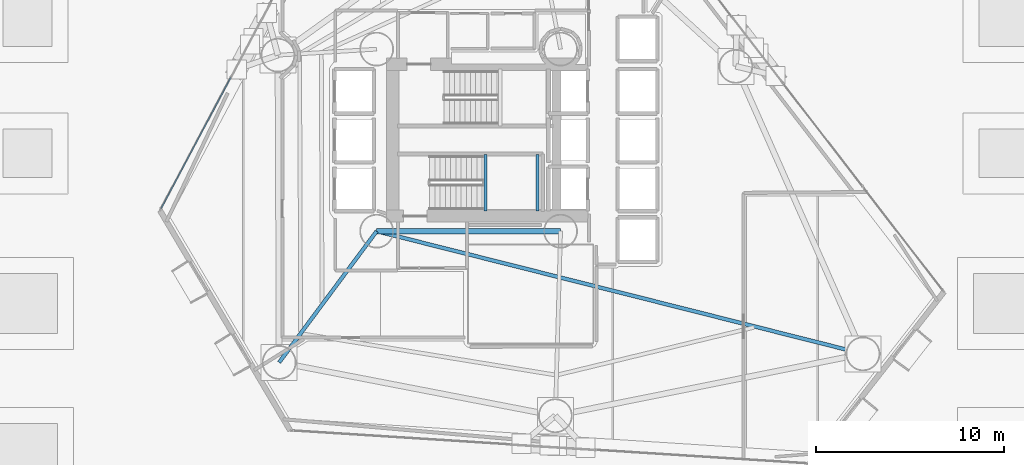
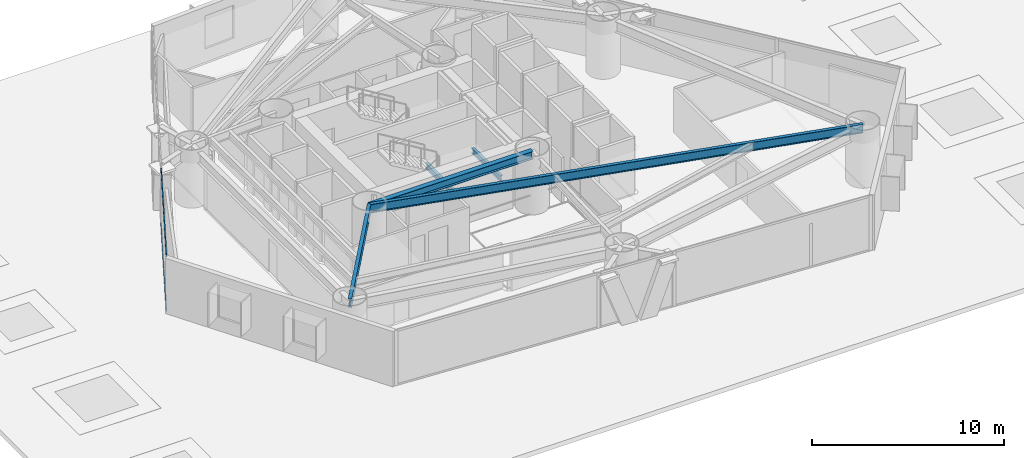
# One storey, part 5 of 22: 5 beams, 2 members, 1 element without a shape of its own.
"""IFC4 building model written with IfcOpenShell, lengths in metres."""

import ifcopenshell
import ifcopenshell.guid

model = None  # the IFC model being written
_history = None  # IfcOwnerHistory: only IFC2X3 demands one
_inside = {}  # id of a spatial element -> (the spatial element, [elements in it])
_under = {}  # id of a project, library or spatial element -> (it, [spatial elements below it])
_declared = {}  # id of a project -> (the project, [libraries it declares])
_typed = {}  # id of a type object -> (the type object, [elements of that type])
_made_of = {}  # id of a material, layer set ... -> (it, [elements and type objects made of it])


def new_model(schema):
    """Start an empty IFC model of exactly this schema.

    Asked for "IFC4X3", IfcOpenShell would pick the latest addendum, in which some entities
    have other attributes; the version numbers below select the first issue.
    IFC2X3 requires an IfcOwnerHistory on every rooted entity: one is made here for all.
    """
    global model, _history
    if schema == "IFC4X3":
        model = ifcopenshell.file(schema_version=(4, 3, 0, 0))
    else:
        model = ifcopenshell.file(schema=schema)
    _inside.clear()
    _under.clear()
    _declared.clear()
    _typed.clear()
    _made_of.clear()
    _history = None
    if model.schema == "IFC2X3":
        org = make("IfcOrganization", Name="unknown")
        user = make(
            "IfcPersonAndOrganization",
            ThePerson=make("IfcPerson", FamilyName="unknown"),
            TheOrganization=org,
        )
        app = make(
            "IfcApplication",
            ApplicationDeveloper=org,
            Version="unknown",
            ApplicationFullName="unknown",
            ApplicationIdentifier="unknown",
        )
        _history = make(
            "IfcOwnerHistory",
            OwningUser=user,
            OwningApplication=app,
            ChangeAction="ADDED",
            CreationDate=0,
        )
    return model


def make(cls, **values):
    """One entity of the class cls with the attributes given. An attribute that is None is left unset."""
    return model.create_entity(
        cls, **{name: value for name, value in values.items() if value is not None}
    )


def rooted(cls, **values):
    """An entity with a GlobalId (a new one), such as an element, a storey or a relation."""
    return make(cls, GlobalId=ifcopenshell.guid.new(), OwnerHistory=_history, **values)


def si_unit(unit_type, name, prefix=None):
    """IfcSIUnit, for example si_unit("LENGTHUNIT", "METRE", prefix="MILLI")."""
    return make("IfcSIUnit", UnitType=unit_type, Prefix=prefix, Name=name)


def assignment(units):
    """IfcUnitAssignment: the units of a project."""
    return None if units is None else make("IfcUnitAssignment", Units=units)


def point(xyz):
    """IfcCartesianPoint."""
    return None if xyz is None else make("IfcCartesianPoint", Coordinates=xyz)


def direction(xyz):
    """IfcDirection."""
    return None if xyz is None else make("IfcDirection", DirectionRatios=xyz)


def frame(location, z_axis=None, x_axis=None):
    """IfcAxis2Placement3D, a coordinate frame: its origin and axes. An axis left out is left unset."""
    return make(
        "IfcAxis2Placement3D",
        Location=point(location),
        Axis=direction(z_axis),
        RefDirection=direction(x_axis),
    )


def frame_2d(location, x_axis=None):
    """IfcAxis2Placement2D, a coordinate frame in the plane: its origin and x axis."""
    return make(
        "IfcAxis2Placement2D", Location=point(location), RefDirection=direction(x_axis)
    )


def origin():
    """The frame at (0, 0, 0) with its axes left unset."""
    return frame((0.0, 0.0, 0.0))


def origin_2d():
    """The frame at (0, 0) in the plane with its x axis left unset."""
    return frame_2d((0.0, 0.0))


def place(relative_to, where):
    """IfcLocalPlacement: puts the frame where relative to a parent placement (None: the world)."""
    return make(
        "IfcLocalPlacement", PlacementRelTo=relative_to, RelativePlacement=where
    )


def context(
    kind, dimensions, precision=None, world=None, true_north=None, identifier=None
):
    """IfcGeometricRepresentationContext, for example the 3D "Model" context."""
    return make(
        "IfcGeometricRepresentationContext",
        ContextIdentifier=identifier,
        ContextType=kind,
        CoordinateSpaceDimension=dimensions,
        Precision=precision,
        WorldCoordinateSystem=world,
        TrueNorth=true_north,
    )


def subcontext(parent, identifier, kind, view, scale=None):
    """IfcGeometricRepresentationSubContext, for example "Body" below "Model"."""
    return make(
        "IfcGeometricRepresentationSubContext",
        ContextIdentifier=identifier,
        ContextType=kind,
        ParentContext=parent,
        TargetScale=scale,
        TargetView=view,
    )


def project(units=None, contexts=None):
    """IfcProject with its units and contexts."""
    return rooted(
        "IfcProject",
        Name="project",
        RepresentationContexts=contexts,
        UnitsInContext=assignment(units),
    )


def spatial(cls, under=None, at=None, **own):
    """A site, building, storey or space (cls), placed at a placement, below another one or the project."""
    s = rooted(cls, ObjectPlacement=at, **own)
    if under is not None:
        _under.setdefault(under.id(), (under, []))[1].append(s)
    return s


def profile(cls, at=None, kind="AREA", **sizes):
    """A parametric profile (cls). Its sizes go by their IFC names, for example OverallWidth=200.0."""
    return make(cls, ProfileType=kind, Position=at, **sizes)


def hollow_rectangle(**sizes):
    """IfcRectangleHollowProfileDef."""
    return profile("IfcRectangleHollowProfileDef", **sizes)


def i_section(**sizes):
    """IfcIShapeProfileDef."""
    return profile("IfcIShapeProfileDef", **sizes)


def extrude(swept, where, along, depth):
    """IfcExtrudedAreaSolid: the profile swept, set in the frame where, extruded along a direction by depth."""
    return make(
        "IfcExtrudedAreaSolid",
        SweptArea=swept,
        Position=where,
        ExtrudedDirection=direction(along),
        Depth=depth,
    )


def shape(context_of_items, identifier, shape_type, items):
    """IfcShapeRepresentation: the items that make up one representation, for example the "Body"."""
    return make(
        "IfcShapeRepresentation",
        ContextOfItems=context_of_items,
        RepresentationIdentifier=identifier,
        RepresentationType=shape_type,
        Items=items,
    )


def material(Name=None, Category=None):
    """IfcMaterial."""
    return make("IfcMaterial", Name=Name, Category=Category)


def layer(
    of_material, thickness, ventilated=None, Name=None, Category=None, Priority=None
):
    """IfcMaterialLayer: one layer of a wall or slab, of a material (None: an air gap)."""
    return make(
        "IfcMaterialLayer",
        Material=of_material,
        LayerThickness=thickness,
        IsVentilated=ventilated,
        Name=Name,
        Category=Category,
        Priority=Priority,
    )


def layer_set(layers, Name=None):
    """IfcMaterialLayerSet."""
    return make("IfcMaterialLayerSet", MaterialLayers=layers, LayerSetName=Name)


def material_profile(
    of_material, cross_section, Name=None, Category=None, Priority=None
):
    """IfcMaterialProfile: a cross section and its material."""
    return make(
        "IfcMaterialProfile",
        Name=Name,
        Material=of_material,
        Profile=cross_section,
        Priority=Priority,
        Category=Category,
    )


def profile_set(profiles, Name=None, composite=None):
    """IfcMaterialProfileSet."""
    return make(
        "IfcMaterialProfileSet",
        Name=Name,
        MaterialProfiles=profiles,
        CompositeProfile=composite,
    )


def made_of(thing, what):
    """Note that an element or type object is made of a material, layer set ...; save() writes the relation."""
    if what is not None:
        _made_of.setdefault(what.id(), (what, []))[1].append(thing)
    return thing


def type_object(cls, material=None, **own):
    """A type object (cls), such as IfcWallType, which elements share."""
    return made_of(rooted(cls, **own), material)


def element(
    cls,
    number,
    at=None,
    inside=None,
    cuts=None,
    type_object=None,
    material=None,
    context=None,
    identifier="Body",
    shape_type=None,
    held_by="IfcProductDefinitionShape",
    body=None,
    shapes=None,
    **own,
):
    """One element of the class cls, such as IfcWall. Its Tag is "e" and its number.

    at: its placement. inside: the storey or other place that contains it. cuts: it is an
    opening in that element (IfcRelVoidsElement). A single representation is given by context,
    identifier, shape_type and body (its items); several are given by shapes. held_by: the class
    of the entity that holds the representations. save() writes the other relations.
    """
    e = rooted(cls, Tag="e%d" % number, ObjectPlacement=at, **own)
    if body is not None:
        shapes = [shape(context, identifier, shape_type, body)]
    if shapes is not None:
        e.Representation = make(held_by, Representations=shapes)
    if inside is not None:
        _inside.setdefault(inside.id(), (inside, []))[1].append(e)
    if cuts is not None:
        rooted(
            "IfcRelVoidsElement", RelatingBuildingElement=cuts, RelatedOpeningElement=e
        )
    if type_object is not None:
        _typed.setdefault(type_object.id(), (type_object, []))[1].append(e)
    return made_of(e, material)


def aggregate(whole, parts):
    """IfcRelAggregates: a whole, such as a stair, and the parts it consists of."""
    return rooted("IfcRelAggregates", RelatingObject=whole, RelatedObjects=parts)


def save(model, path):
    """Write the relations noted so far, then the file.

    IfcRelAggregates (storeys below a building ...), IfcRelContainedInSpatialStructure (elements
    in a storey), IfcRelDefinesByType, IfcRelAssociatesMaterial and IfcRelDeclares: one each for
    every whole, place, type object, material and project.
    """
    for whole, parts in _under.values():
        aggregate(whole, parts)
    for where, things in _inside.values():
        rooted(
            "IfcRelContainedInSpatialStructure",
            RelatedElements=things,
            RelatingStructure=where,
        )
    for kind, things in _typed.values():
        rooted("IfcRelDefinesByType", RelatedObjects=things, RelatingType=kind)
    for what, things in _made_of.values():
        rooted("IfcRelAssociatesMaterial", RelatedObjects=things, RelatingMaterial=what)
    for by, libraries in _declared.values():
        rooted("IfcRelDeclares", RelatingContext=by, RelatedDefinitions=libraries)
    model.write(path)


model = new_model("IFC4")

# Units and contexts
model_context = context("Model", 3, precision=1e-05, world=origin(), true_north=direction((0.0, 1.0)))
body_context = subcontext(model_context, "Body", "Model", "MODEL_VIEW")
ifc_project = project(units=[si_unit("LENGTHUNIT", "METRE"), si_unit("AREAUNIT", "SQUARE_METRE"), si_unit("VOLUMEUNIT", "CUBIC_METRE"), si_unit("PLANEANGLEUNIT", "RADIAN"), si_unit("MASSUNIT", "GRAM", prefix="KILO")], contexts=[model_context])

# Site, building, storey
site_placement = place(None, origin())
site = spatial("IfcSite", under=ifc_project, at=site_placement, CompositionType="ELEMENT")
building_placement = place(site_placement, origin())
building = spatial("IfcBuilding", under=site, at=building_placement, Name="Qianvela Tower", CompositionType="ELEMENT")
storey_placement = place(building_placement, frame((0.0, 0.0, 25.699951171875)))
storey = spatial("IfcBuildingStorey", under=building, at=storey_placement, Name="L05", CompositionType="ELEMENT", Elevation=25.699951171875)

# Beams
ifc_material_1 = material(Name="Steel Q355B", Category="steel")
ifc_material_profile_1 = material_profile(ifc_material_1, i_section(OverallWidth=0.300048828125, OverallDepth=0.5, WebThickness=0.010986328125, FlangeThickness=0.01806640625, at=origin_2d()), Name="HM500x300x11x18")
ifc_profile_set_1 = profile_set([ifc_material_profile_1], Name="Steel Q355B")
beam_type_1 = type_object("IfcBeamType", Name="BM-HM500-COLL", PredefinedType="BEAM", material=ifc_profile_set_1)
beam_1_placement = place(storey_placement, frame((28.60009765625, 23.85009765625, 3.26806640625), z_axis=(1.0, 0.0, 0.0), x_axis=(0.0, 1.0, 0.0)))
element("IfcBeam", 1, at=beam_1_placement, inside=storey, type_object=beam_type_1, Name="L05 Core Ring Collector Girder CC1", PredefinedType="BEAM", context=body_context, shape_type="SweptSolid", body=[
    extrude(i_section(OverallWidth=0.300048828125, OverallDepth=0.5, WebThickness=0.010986328125, FlangeThickness=0.01806640625, at=origin_2d()), origin(), (0.0, 0.0, 1.0), 9.7998046875),
])
ifc_material_2 = material(Name="Steel Q355B", Category="steel")
ifc_material_profile_2 = material_profile(ifc_material_2, i_section(OverallWidth=0.175048828125, OverallDepth=0.35009765625, WebThickness=0.007080078125, FlangeThickness=0.010986328125, at=origin_2d()), Name="HN350x175x7x11")
ifc_profile_set_2 = profile_set([ifc_material_profile_2], Name="Steel Q355B")
beam_type_2 = type_object("IfcBeamType", Name="BM-HN350-JOIST", PredefinedType="JOIST", material=ifc_profile_set_2)
for number, where, z_axis, x_axis, name in (
    (2, (34.39990234375, 24.919921875, 1.47509765625), (0.0, 1.0, 0.0), (-1.0, 0.0, 0.0), "L05 Stair ST-2 Landing Support Beam 1.1"),
    (3, (37.169921875, 24.919921875, 1.47509765625), (0.0, 1.0, 0.0), (-1.0, 0.0, 0.0), "L05 Stair ST-2 Landing Support Beam 1.2"),
):
    element("IfcBeam", number, at=place(storey_placement, frame(where, z_axis=z_axis, x_axis=x_axis)), inside=storey, type_object=beam_type_2, Name=name, PredefinedType="JOIST", context=body_context, shape_type="SweptSolid", body=[
        extrude(i_section(OverallWidth=0.175048828125, OverallDepth=0.35009765625, WebThickness=0.007080078125, FlangeThickness=0.010986328125, at=origin_2d()), origin(), (0.0, 0.0, 1.0), 3.02001953125),
    ])
ifc_material_3 = material(Name="Steel Q355B", Category="steel")
ifc_material_profile_3 = material_profile(ifc_material_3, i_section(OverallWidth=0.199951171875, OverallDepth=0.550048828125, WebThickness=0.010009765625, FlangeThickness=0.01611328125, at=origin_2d()), Name="HN550x200x10x16")
ifc_profile_set_3 = profile_set([ifc_material_profile_3], Name="Steel Q355B")
beam_type_3 = type_object("IfcBeamType", Name="BM-HN550-GIRD", PredefinedType="BEAM", material=ifc_profile_set_3)
beam_2_placement = place(storey_placement, frame((28.60009765625, 23.85009765625, 3.2431640625), z_axis=(0.969654189465, -0.244480577661, 0.0), x_axis=(0.244480577661, 0.969654189465, 0.0)))
element("IfcBeam", 4, at=beam_2_placement, inside=storey, type_object=beam_type_3, Name="L05 Radial Primary Floor Girder 1", PredefinedType="BEAM", context=body_context, shape_type="SweptSolid", body=[
    extrude(i_section(OverallWidth=0.199951171875, OverallDepth=0.550048828125, WebThickness=0.010009765625, FlangeThickness=0.01611328125, at=origin_2d()), origin(), (0.0, 0.0, 1.0), 26.722900390625),
])
beam_3_placement = place(storey_placement, frame((28.60009765625, 23.85009765625, 3.2431640625), z_axis=(-0.596581498031, -0.802552500593, 0.0), x_axis=(0.802552500593, -0.596581498031, 0.0)))
element("IfcBeam", 5, at=beam_3_placement, inside=storey, type_object=beam_type_3, Name="L05 Radial Primary Floor Girder 5", PredefinedType="BEAM", context=body_context, shape_type="SweptSolid", body=[
    extrude(i_section(OverallWidth=0.199951171875, OverallDepth=0.550048828125, WebThickness=0.010009765625, FlangeThickness=0.01611328125, at=origin_2d()), origin(), (0.0, 0.0, 1.0), 8.709716796875),
])

# Curtain wall, members
ifc_material_4 = material(Name="Anodised Architectural Aluminium and Low-E Glass", Category="aluminium")
ifc_layer = layer(ifc_material_4, 0.179931640625)
ifc_layer_set = layer_set([ifc_layer], Name="Anodised Architectural Aluminium and Low-E Glass")
curtain_wall_type = type_object("IfcCurtainWallType", Name="CW-COLIV-Z12", PredefinedType="USERDEFINED", material=ifc_layer_set)
curtain_wall_placement = place(storey_placement, origin())
curtain_wall = element("IfcCurtainWall", 6, at=curtain_wall_placement, inside=storey, type_object=curtain_wall_type, Name="L05 CW-COLIV-Z12 Curtain Wall 04C", ObjectType="CURTAIN_WALL_SYSTEM", PredefinedType="USERDEFINED")
ifc_material_5 = material(Name="Anodised Architectural Aluminium 6063-T6", Category="aluminium")
ifc_material_profile_4 = material_profile(ifc_material_5, hollow_rectangle(XDim=0.06494140625, YDim=0.1298828125, WallThickness=0.00439453125, at=origin_2d()), Name="ALU-TRAN-65x130")
ifc_profile_set_4 = profile_set([ifc_material_profile_4], Name="Anodised Architectural Aluminium 6063-T6")
member_type = type_object("IfcMemberType", Name="CW-COLIV-Z12-TRAN", PredefinedType="USERDEFINED", material=ifc_profile_set_4)
member_1_placement = place(storey_placement, frame((20.82666015625, 32.037353515625, 0.032470703125), z_axis=(-0.469467523677, -0.882949740479, 0.0), x_axis=(0.882949740479, -0.469467523677, 0.0)))
member_1 = element("IfcMember", 7, at=member_1_placement, type_object=member_type, Name="CW-3 transom 1.1", ObjectType="TRANSOM", PredefinedType="USERDEFINED", context=body_context, shape_type="SweptSolid", body=[
    extrude(hollow_rectangle(XDim=0.06494140625, YDim=0.1298828125, WallThickness=0.00439453125, at=origin_2d()), origin(), (0.0, 0.0, 1.0), 7.906005859375),
])
member_2_placement = place(storey_placement, frame((20.82666015625, 32.037353515625, 3.487548828125), z_axis=(-0.469467523677, -0.882949740479, 0.0), x_axis=(0.882949740479, -0.469467523677, 0.0)))
member_2 = element("IfcMember", 8, at=member_2_placement, type_object=member_type, Name="CW-3 transom 1.2", ObjectType="TRANSOM", PredefinedType="USERDEFINED", context=body_context, shape_type="SweptSolid", body=[
    extrude(hollow_rectangle(XDim=0.06494140625, YDim=0.1298828125, WallThickness=0.00439453125, at=origin_2d()), origin(), (0.0, 0.0, 1.0), 7.906005859375),
])
aggregate(curtain_wall, [member_1, member_2])

save(model, "model.ifc")
